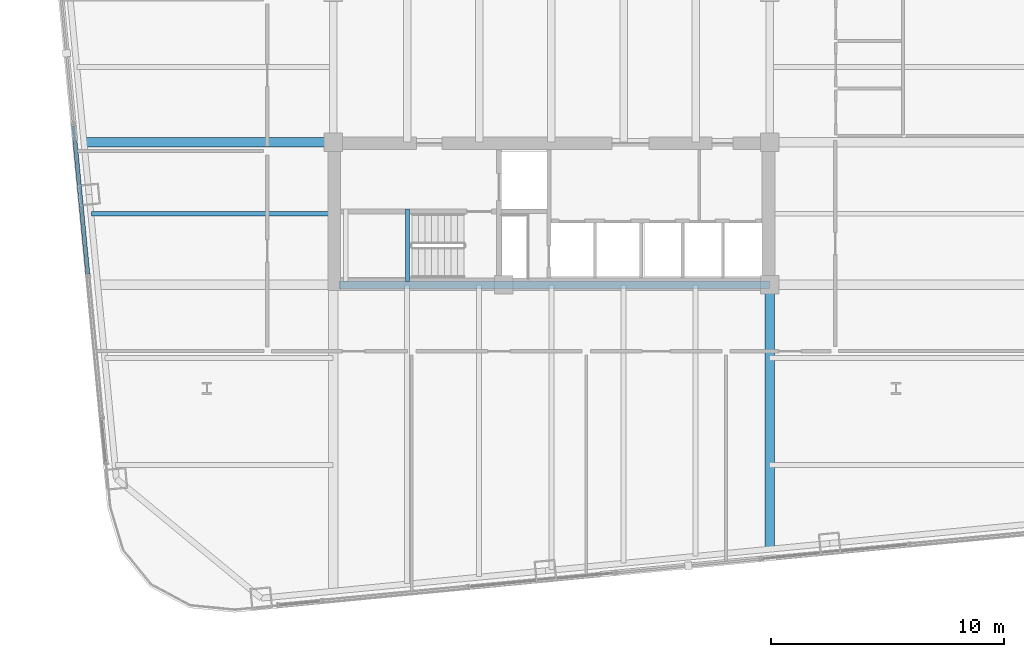
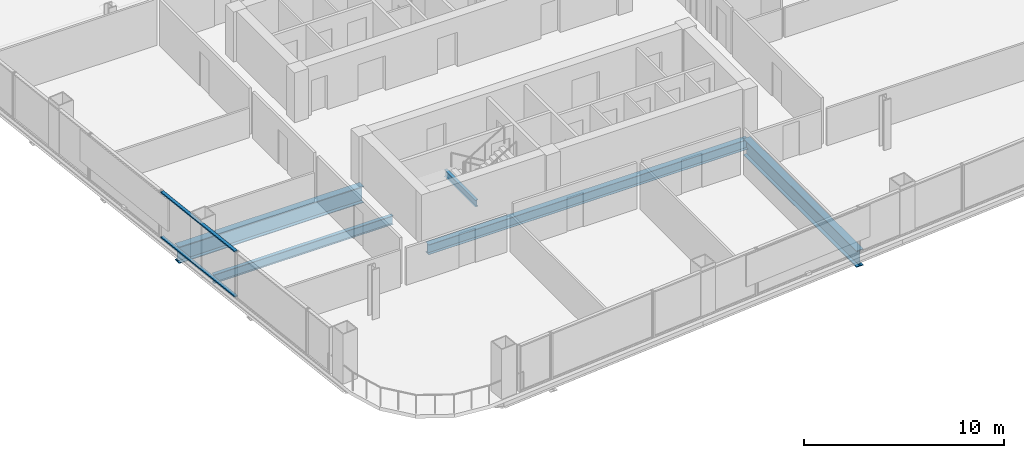
# One storey, part 7 of 28: 5 beams, 2 members, 1 element without a shape of its own.
"""IFC4 building model written with IfcOpenShell, lengths in metres."""

from ifc_helpers import new_model, si_unit, direction, frame, origin, origin_2d, place, context, subcontext, project, spatial, hollow_rectangle, i_section, extrude, material, layer, layer_set, material_profile, profile_set, type_object, element, aggregate, save


model = new_model("IFC4")

# Units and contexts
model_context = context("Model", 3, precision=1e-05, world=origin(), true_north=direction((0.0, 1.0)))
body_context = subcontext(model_context, "Body", "Model", "MODEL_VIEW")
ifc_project = project(units=[si_unit("LENGTHUNIT", "METRE"), si_unit("AREAUNIT", "SQUARE_METRE"), si_unit("VOLUMEUNIT", "CUBIC_METRE"), si_unit("PLANEANGLEUNIT", "RADIAN"), si_unit("MASSUNIT", "GRAM", prefix="KILO")], contexts=[model_context])

# Site, building, storey
site_placement = place(None, origin())
site = spatial("IfcSite", under=ifc_project, at=site_placement, CompositionType="ELEMENT")
building_placement = place(site_placement, origin())
building = spatial("IfcBuilding", under=site, at=building_placement, Name="Qhalaya Broadcast Tower", CompositionType="ELEMENT")
storey_placement = place(building_placement, frame((0.0, 0.0, 90.800048828125)))
storey = spatial("IfcBuildingStorey", under=building, at=storey_placement, Name="L26", CompositionType="ELEMENT", Elevation=90.800048828125)

# Beams
ifc_material_1 = material(Name="Structural Steel ASTM A992 Grade 50", Category="steel")
ifc_material_profile_1 = material_profile(ifc_material_1, i_section(OverallWidth=0.2099609375, OverallDepth=0.535888671875, WebThickness=0.010986328125, FlangeThickness=0.017333984375, at=origin_2d()), Name="W21X68")
ifc_profile_set_1 = profile_set([ifc_material_profile_1], Name="Structural Steel ASTM A992 Grade 50")
beam_type_1 = type_object("IfcBeamType", Name="Composite Floor Joist J02", PredefinedType="JOIST", material=ifc_profile_set_1)
beam_1_placement = place(storey_placement, frame((-19.76171875, -5.699951171875, -0.488037109375), z_axis=(1.0, 0.0, 0.0), x_axis=(0.0, 1.0, 0.0)))
element("IfcBeam", 1, at=beam_1_placement, inside=storey, type_object=beam_type_1, Name="L26 J02 L26-JWE3W-1", PredefinedType="JOIST", context=body_context, shape_type="SweptSolid", body=[
    extrude(i_section(OverallWidth=0.2099609375, OverallDepth=0.535888671875, WebThickness=0.010986328125, FlangeThickness=0.017333984375, at=origin_2d()), origin(), (0.0, 0.0, 1.0), 10.38671875),
])
ifc_material_profile_2 = material_profile(ifc_material_1, i_section(OverallWidth=0.323974609375, OverallDepth=0.612060546875, WebThickness=0.0126953125, FlangeThickness=0.01904296875, at=origin_2d()), Name="W24X104")
ifc_profile_set_2 = profile_set([ifc_material_profile_2], Name="Structural Steel ASTM A992 Grade 50")
beam_type_2 = type_object("IfcBeamType", Name="Core Frame Tie Beam B04", PredefinedType="BEAM", material=ifc_profile_set_2)
beam_2_placement = place(storey_placement, frame((-9.1201171875, -8.75, -0.526123046875), z_axis=(1.0, 0.0, 0.0), x_axis=(0.0, 1.0, 0.0)))
element("IfcBeam", 2, at=beam_2_placement, inside=storey, type_object=beam_type_2, Name="L26 B04 L26-CCS3", PredefinedType="BEAM", context=body_context, shape_type="SweptSolid", body=[
    extrude(i_section(OverallWidth=0.323974609375, OverallDepth=0.612060546875, WebThickness=0.0126953125, FlangeThickness=0.01904296875, at=origin_2d()), origin(), (0.0, 0.0, 1.0), 18.4951171875),
])
ifc_material_profile_3 = material_profile(ifc_material_1, i_section(OverallWidth=0.40087890625, OverallDepth=1.010986328125, WebThickness=0.023681640625, FlangeThickness=0.0419921875, at=origin_2d()), Name="W40X297")
ifc_profile_set_3 = profile_set([ifc_material_profile_3], Name="Structural Steel ASTM A992 Grade 50")
beam_type_3 = type_object("IfcBeamType", Name="Lower Block Primary Girder PG2", PredefinedType="USERDEFINED", material=ifc_profile_set_3)
beam_3_placement = place(storey_placement, frame((9.375, -20.089599609375, -0.7255859375), z_axis=(0.0, 1.0, 0.0), x_axis=(-1.0, 0.0, 0.0)))
element("IfcBeam", 3, at=beam_3_placement, inside=storey, type_object=beam_type_3, Name="L26 PG2 L26-PGXS2-1", ObjectType="GIRDER", PredefinedType="USERDEFINED", context=body_context, shape_type="SweptSolid", body=[
    extrude(i_section(OverallWidth=0.40087890625, OverallDepth=1.010986328125, WebThickness=0.023681640625, FlangeThickness=0.0419921875, at=origin_2d()), origin(), (0.0, 0.0, 1.0), 11.339599609375),
])
beam_4_placement = place(storey_placement, frame((-20.057861328125, -2.625, -0.7255859375), z_axis=(1.0, 0.0, 0.0), x_axis=(0.0, 1.0, 0.0)))
element("IfcBeam", 4, at=beam_4_placement, inside=storey, type_object=beam_type_3, Name="L26 PG2 L26-PGYW2-1", ObjectType="GIRDER", PredefinedType="USERDEFINED", context=body_context, shape_type="SweptSolid", body=[
    extrude(i_section(OverallWidth=0.40087890625, OverallDepth=1.010986328125, WebThickness=0.023681640625, FlangeThickness=0.0419921875, at=origin_2d()), origin(), (0.0, 0.0, 1.0), 10.682861328125),
])

# Curtain wall, members
ifc_material_2 = material(Name="Solar-Control Low-E Triple Glazing", Category="glass")
ifc_layer = layer(ifc_material_2, 0.219970703125, Name="Solar-Control Low-E Triple Glazing")
ifc_layer_set = layer_set([ifc_layer], Name="Solar-Control Low-E Triple Glazing")
curtain_wall_type = type_object("IfcCurtainWallType", Name="Even-Block 4-Storey Double-Module Curtain Wall CW-03", PredefinedType="NOTDEFINED", material=ifc_layer_set)
curtain_wall_placement = place(storey_placement, origin())
curtain_wall = element("IfcCurtainWall", 5, at=curtain_wall_placement, inside=storey, type_object=curtain_wall_type, Name="L26 Unitised Curtain Wall L26-CW-W5", PredefinedType="NOTDEFINED")
ifc_material_3 = material(Name="Anodised Aluminium 6063-T6", Category="aluminium")
ifc_material_profile_4 = material_profile(ifc_material_3, hollow_rectangle(XDim=0.074951171875, YDim=0.179931640625, WallThickness=0.00390625, at=origin_2d()), Name="ALU-TRN 75x180x4")
ifc_profile_set_4 = profile_set([ifc_material_profile_4], Name="Anodised Aluminium 6063-T6")
member_type = type_object("IfcMemberType", Name="Unitised Curtain-Wall Transom T01", PredefinedType="USERDEFINED", material=ifc_profile_set_4)
member_1_placement = place(storey_placement, frame((-20.52734375, -1.9208984375, 0.037353515625), z_axis=(0.095859052771, -0.995394917609, 0.0), x_axis=(0.0, 0.0, 1.0)))
member_1 = element("IfcMember", 6, at=member_1_placement, type_object=member_type, Name="CW-03 transom 1.1", ObjectType="TRANSOM", PredefinedType="USERDEFINED", context=body_context, shape_type="SweptSolid", body=[
    extrude(hollow_rectangle(XDim=0.074951171875, YDim=0.179931640625, WallThickness=0.00390625, at=origin_2d()), origin(), (0.0, 0.0, 1.0), 6.407958984375),
])
member_2_placement = place(storey_placement, frame((-20.52734375, -1.9208984375, 2.79248046875), z_axis=(0.095859052771, -0.995394917609, 0.0), x_axis=(0.0, 0.0, 1.0)))
member_2 = element("IfcMember", 7, at=member_2_placement, type_object=member_type, Name="CW-03 transom 1.2", ObjectType="TRANSOM", PredefinedType="USERDEFINED", context=body_context, shape_type="SweptSolid", body=[
    extrude(hollow_rectangle(XDim=0.074951171875, YDim=0.179931640625, WallThickness=0.00390625, at=origin_2d()), origin(), (0.0, 0.0, 1.0), 6.407958984375),
])
aggregate(curtain_wall, [member_1, member_2])

# Beam
ifc_material_profile_5 = material_profile(ifc_material_1, i_section(OverallWidth=0.177978515625, OverallDepth=0.406005859375, WebThickness=0.0078125, FlangeThickness=0.0126953125, at=origin_2d()), Name="W16X40")
ifc_profile_set_5 = profile_set([ifc_material_profile_5], Name="Structural Steel ASTM A992 Grade 50")
beam_type_4 = type_object("IfcBeamType", Name="Upper Perimeter Spandrel Beam SP2", PredefinedType="SPANDREL", material=ifc_profile_set_5)
beam_5_placement = place(storey_placement, frame((-6.175048828125, -8.6201171875, 1.1220703125), z_axis=(0.0, 1.0, 0.0), x_axis=(-1.0, 0.0, 0.0)))
element("IfcBeam", 8, at=beam_5_placement, inside=storey, type_object=beam_type_4, Name="L26 ST-2 Half-Landing Bearer Beam 2", PredefinedType="SPANDREL", context=body_context, shape_type="SweptSolid", body=[
    extrude(i_section(OverallWidth=0.177978515625, OverallDepth=0.406005859375, WebThickness=0.0078125, FlangeThickness=0.0126953125, at=origin_2d()), origin(), (0.0, 0.0, 1.0), 3.1201171875),
])

save(model, "model.ifc")
